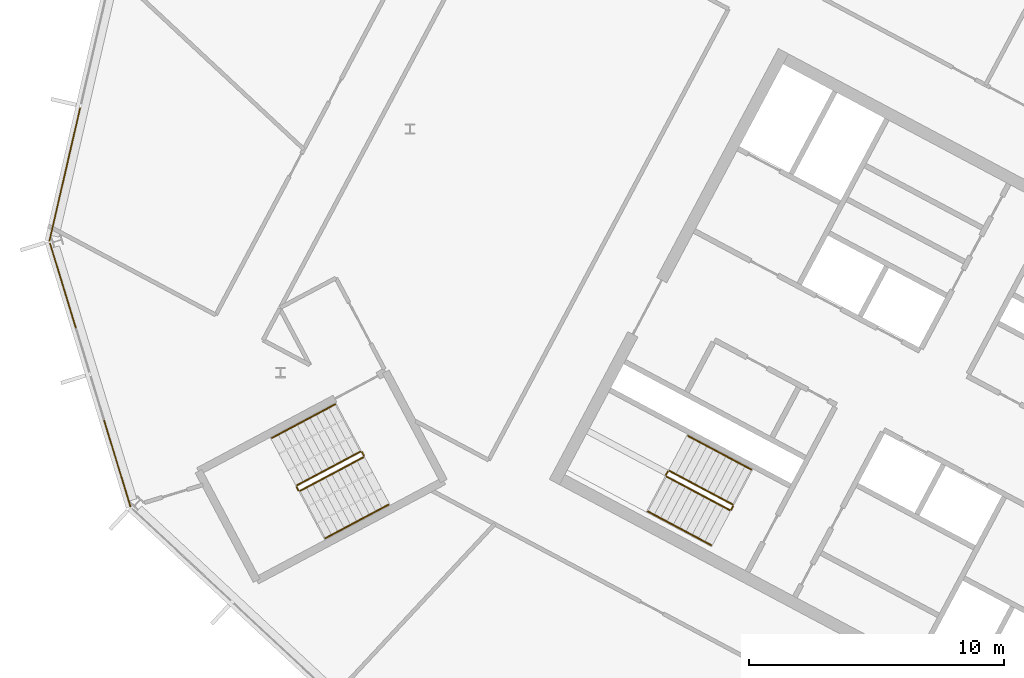
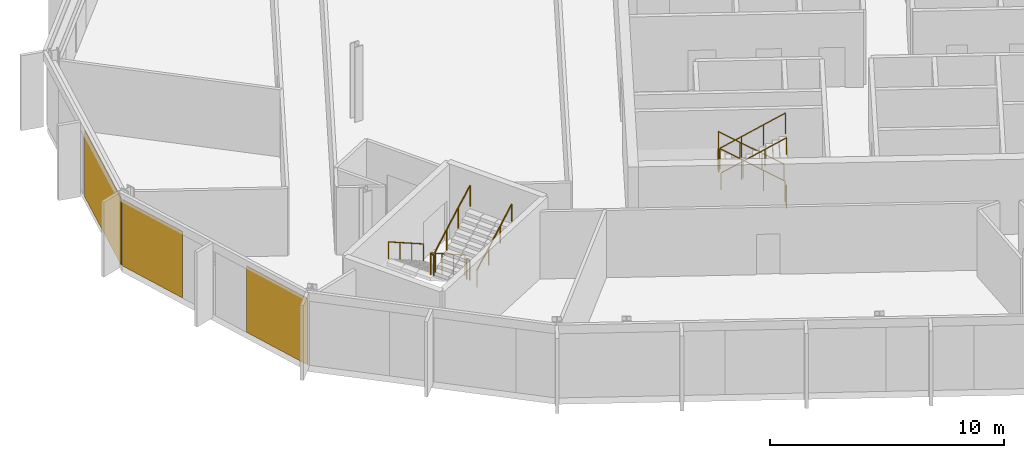
# One storey, part 31 of 35: 12 railings, 3 coverings, 2 elements without a shape of their own.
"""IFC4 building model written with IfcOpenShell, lengths in metres."""

from ifc_helpers import new_model, si_unit, direction, frame, origin, origin_2d, place, context, subcontext, project, spatial, polyline, rectangle, outline, extrude, material, layer, layer_set, type_object, element, aggregate, save


model = new_model("IFC4")

# Units and contexts
model_context = context("Model", 3, precision=1e-05, world=origin(), true_north=direction((0.0, 1.0)))
body_context = subcontext(model_context, "Body", "Model", "MODEL_VIEW")
ifc_project = project(units=[si_unit("LENGTHUNIT", "METRE"), si_unit("AREAUNIT", "SQUARE_METRE"), si_unit("VOLUMEUNIT", "CUBIC_METRE"), si_unit("PLANEANGLEUNIT", "RADIAN"), si_unit("MASSUNIT", "GRAM", prefix="KILO")], contexts=[model_context])

# Site, building, storey
site_placement = place(None, origin())
site = spatial("IfcSite", under=ifc_project, at=site_placement, CompositionType="ELEMENT")
building_placement = place(site_placement, origin())
building = spatial("IfcBuilding", under=site, at=building_placement, Name="Cormorant Relay Tower", CompositionType="ELEMENT")
storey_placement = place(building_placement, frame((0.0, 0.0, 324.300048828125)))
storey = spatial("IfcBuildingStorey", under=building, at=storey_placement, Name="L74", CompositionType="ELEMENT", Elevation=324.300048828125)

# Curtain wall, covering
ifc_material_1 = material(Name="Aluminium 6063-T6 anodised bronze", Category="aluminium")
ifc_layer_1 = layer(ifc_material_1, 0.199951171875)
ifc_layer_set_1 = layer_set([ifc_layer_1], Name="CW1 unitised bronze curtain wall with vertical fins")
curtain_wall_type = type_object("IfcCurtainWallType", Name="CW1 unitised bronze curtain wall with vertical fins", PredefinedType="NOTDEFINED", material=ifc_layer_set_1)
curtain_wall_1_placement = place(storey_placement, origin())
curtain_wall_1 = element("IfcCurtainWall", 1, at=curtain_wall_1_placement, inside=storey, type_object=curtain_wall_type, Name="CW1 curtain wall 13", PredefinedType="NOTDEFINED")
ifc_material_2 = material(Name="Pale bronze anodised aluminium insulated panel", Category="aluminium")
ifc_layer_2 = layer(ifc_material_2, 0.0400390625)
ifc_layer_set_2 = layer_set([ifc_layer_2], Name="CW1 pale bronze insulated panel 40")
covering_type = type_object("IfcCoveringType", Name="CW1 pale bronze insulated panel 40", PredefinedType="CLADDING", material=ifc_layer_set_2)
covering_1_placement = place(storey_placement, frame((-60.136474609375, 23.00927734375, 0.0), z_axis=(0.0, 0.0, 1.0), x_axis=(-0.224951054344, -0.974370064785, 0.0)))
covering_1 = element("IfcCovering", 2, at=covering_1_placement, type_object=covering_type, Name="CW1 panel S02", PredefinedType="CLADDING", context=body_context, shape_type="SweptSolid", body=[
    extrude(rectangle(XDim=5.360107421875, YDim=0.0400390625, at=origin_2d()), origin(), (0.0, 0.0, 1.0), 3.449951171875),
])
aggregate(curtain_wall_1, [covering_1])

# Curtain wall, coverings
curtain_wall_2_placement = place(storey_placement, origin())
curtain_wall_2 = element("IfcCurtainWall", 3, at=curtain_wall_2_placement, inside=storey, type_object=curtain_wall_type, Name="CW1 curtain wall 14", PredefinedType="NOTDEFINED")
covering_2_placement = place(storey_placement, frame((-60.20751953125, 18.6494140625, 0.0), z_axis=(0.0, 0.0, 1.0), x_axis=(0.292371704723, -0.956304755963, 0.0)))
covering_2 = element("IfcCovering", 4, at=covering_2_placement, type_object=covering_type, Name="CW1 panel S00", PredefinedType="CLADDING", context=body_context, shape_type="SweptSolid", body=[
    extrude(rectangle(XDim=3.485107421875, YDim=0.0400390625, at=origin_2d()), origin(), (0.0, 0.0, 1.0), 3.449951171875),
])
covering_3_placement = place(storey_placement, frame((-58.081298828125, 11.6943359375, 0.0), z_axis=(0.0, 0.0, 1.0), x_axis=(0.292371704723, -0.956304755963, 0.0)))
covering_3 = element("IfcCovering", 5, at=covering_3_placement, type_object=covering_type, Name="CW1 panel S03", PredefinedType="CLADDING", context=body_context, shape_type="SweptSolid", body=[
    extrude(rectangle(XDim=3.560302734375, YDim=0.0400390625, at=origin_2d()), origin(), (0.0, 0.0, 1.0), 3.449951171875),
])
aggregate(curtain_wall_2, [covering_2, covering_3])

# Railings
ifc_material_3 = material(Name="Steel ASTM A572 Grade 50 (Fy 345 MPa)", Category="steel")
railing_type_1 = type_object("IfcRailingType", Name="Stair guard 1100", PredefinedType="GUARDRAIL", material=ifc_material_3)
railing_1_placement = place(storey_placement, frame((-33.9921875, 10.08935546875, 0.17724609375)))
element("IfcRailing", 6, at=railing_1_placement, inside=storey, type_object=railing_type_1, Name="L74 A2 stair guard 1", PredefinedType="GUARDRAIL", context=body_context, shape_type="SweptSolid", body=[
    extrude(outline(polyline([(0.022216796875, 0.00927734375), (0.00927734375, 0.022216796875), (-0.00927734375, 0.022216796875), (-0.022216796875, 0.00927734375), (-0.022216796875, -0.00927734375), (-0.00927734375, -0.022216796875), (0.00927734375, -0.022216796875), (0.022216796875, -0.00927734375), (0.022216796875, 0.00927734375)])), frame((0.0, 0.0, 1.076171875), z_axis=(-0.746001213114, 0.396649272309, 0.534931345884), x_axis=(-0.469465464807, -0.882950835185, 0.0)), (0.0, 0.0, 1.0), 3.31396484375),
    extrude(outline(polyline([(0.019287109375, 0.008056640625), (0.008056640625, 0.019287109375), (-0.008056640625, 0.019287109375), (-0.019287109375, 0.008056640625), (-0.019287109375, -0.008056640625), (-0.008056640625, -0.019287109375), (0.008056640625, -0.019287109375), (0.019287109375, -0.008056640625), (0.019287109375, 0.008056640625)])), origin(), (0.0, 0.0, 1.0), 1.052001953125),
    extrude(outline(polyline([(0.019287109375, 0.008056640625), (0.008056640625, 0.019287109375), (-0.008056640625, 0.019287109375), (-0.019287109375, 0.008056640625), (-0.019287109375, -0.008056640625), (-0.008056640625, -0.019287109375), (0.008056640625, -0.019287109375), (0.019287109375, -0.008056640625), (0.019287109375, 0.008056640625)])), frame((-0.823974609375, 0.438232421875, 0.5908203125)), (0.0, 0.0, 1.0), 1.052001953125),
    extrude(outline(polyline([(0.019287109375, 0.008056640625), (0.008056640625, 0.019287109375), (-0.008056640625, 0.019287109375), (-0.019287109375, 0.008056640625), (-0.019287109375, -0.008056640625), (-0.008056640625, -0.019287109375), (0.008056640625, -0.019287109375), (0.019287109375, -0.008056640625), (0.019287109375, 0.008056640625)])), frame((-1.648193359375, 0.876220703125, 1.181884765625)), (0.0, 0.0, 1.0), 1.052001953125),
    extrude(outline(polyline([(0.019287109375, 0.008056640625), (0.008056640625, 0.019287109375), (-0.008056640625, 0.019287109375), (-0.019287109375, 0.008056640625), (-0.019287109375, -0.008056640625), (-0.008056640625, -0.019287109375), (0.008056640625, -0.019287109375), (0.019287109375, -0.008056640625), (0.019287109375, 0.008056640625)])), frame((-2.47216796875, 1.314453125, 1.772705078125)), (0.0, 0.0, 1.0), 1.052001953125),
])
railing_2_placement = place(storey_placement, frame((-36.531982421875, 11.38330078125, 1.949951171875)))
element("IfcRailing", 7, at=railing_2_placement, inside=storey, type_object=railing_type_1, Name="L74 A2 stair guard 2", PredefinedType="GUARDRAIL", context=body_context, shape_type="SweptSolid", body=[
    extrude(outline(polyline([(0.022216796875, 0.00927734375), (0.00927734375, 0.022216796875), (-0.00927734375, 0.022216796875), (-0.022216796875, 0.00927734375), (-0.022216796875, -0.00927734375), (-0.00927734375, -0.022216796875), (0.00927734375, -0.022216796875), (0.022216796875, -0.00927734375), (0.022216796875, 0.00927734375)])), frame((0.0, 0.0, 1.076171875), z_axis=(-0.469828648786, -0.882757634224, 0.0), x_axis=(0.882757634224, -0.469828648786, 0.0)), (0.0, 0.0, 1.0), 0.150146484375),
    extrude(outline(polyline([(0.019287109375, 0.008056640625), (0.008056640625, 0.019287109375), (-0.008056640625, 0.019287109375), (-0.019287109375, 0.008056640625), (-0.019287109375, -0.008056640625), (-0.008056640625, -0.019287109375), (0.008056640625, -0.019287109375), (0.019287109375, -0.008056640625), (0.019287109375, 0.008056640625)])), origin(), (0.0, 0.0, 1.0), 1.052001953125),
    extrude(outline(polyline([(0.019287109375, 0.008056640625), (0.008056640625, 0.019287109375), (-0.008056640625, 0.019287109375), (-0.019287109375, 0.008056640625), (-0.019287109375, -0.008056640625), (-0.008056640625, -0.019287109375), (0.008056640625, -0.019287109375), (0.019287109375, -0.008056640625), (0.019287109375, 0.008056640625)])), frame((-0.070556640625, -0.132568359375, 0.0)), (0.0, 0.0, 1.0), 1.052001953125),
])
railing_3_placement = place(storey_placement, frame((-36.581787109375, 11.18310546875, 2.127197265625)))
element("IfcRailing", 8, at=railing_3_placement, inside=storey, type_object=railing_type_1, Name="L74 A2 stair guard 3", PredefinedType="GUARDRAIL", context=body_context, shape_type="SweptSolid", body=[
    extrude(outline(polyline([(0.022216796875, 0.00927734375), (0.00927734375, 0.022216796875), (-0.00927734375, 0.022216796875), (-0.022216796875, 0.00927734375), (-0.022216796875, -0.00927734375), (-0.00927734375, -0.022216796875), (0.00927734375, -0.022216796875), (0.022216796875, -0.00927734375), (0.022216796875, 0.00927734375)])), frame((0.0, 0.0, 1.076171875), z_axis=(0.746001213114, -0.396649272309, 0.534931345884), x_axis=(0.469465464807, 0.882950835185, 0.0)), (0.0, 0.0, 1.0), 3.31396484375),
    extrude(outline(polyline([(0.019287109375, 0.008056640625), (0.008056640625, 0.019287109375), (-0.008056640625, 0.019287109375), (-0.019287109375, 0.008056640625), (-0.019287109375, -0.008056640625), (-0.008056640625, -0.019287109375), (0.008056640625, -0.019287109375), (0.019287109375, -0.008056640625), (0.019287109375, 0.008056640625)])), origin(), (0.0, 0.0, 1.0), 1.052001953125),
    extrude(outline(polyline([(0.019287109375, 0.008056640625), (0.008056640625, 0.019287109375), (-0.008056640625, 0.019287109375), (-0.019287109375, 0.008056640625), (-0.019287109375, -0.008056640625), (-0.008056640625, -0.019287109375), (0.008056640625, -0.019287109375), (0.019287109375, -0.008056640625), (0.019287109375, 0.008056640625)])), frame((0.823974609375, -0.438232421875, 0.5908203125)), (0.0, 0.0, 1.0), 1.052001953125),
    extrude(outline(polyline([(0.019287109375, 0.008056640625), (0.008056640625, 0.019287109375), (-0.008056640625, 0.019287109375), (-0.019287109375, 0.008056640625), (-0.019287109375, -0.008056640625), (-0.008056640625, -0.019287109375), (0.008056640625, -0.019287109375), (0.019287109375, -0.008056640625), (0.019287109375, 0.008056640625)])), frame((1.648193359375, -0.876220703125, 1.181884765625)), (0.0, 0.0, 1.0), 1.052001953125),
    extrude(outline(polyline([(0.019287109375, 0.008056640625), (0.008056640625, 0.019287109375), (-0.008056640625, 0.019287109375), (-0.019287109375, 0.008056640625), (-0.019287109375, -0.008056640625), (-0.008056640625, -0.019287109375), (0.008056640625, -0.019287109375), (0.019287109375, -0.008056640625), (0.019287109375, 0.008056640625)])), frame((2.47216796875, -1.314453125, 1.772705078125)), (0.0, 0.0, 1.0), 1.052001953125),
])
railing_4_placement = place(storey_placement, frame((-33.971435546875, 10.021728515625, 0.0)))
element("IfcRailing", 9, at=railing_4_placement, inside=storey, type_object=railing_type_1, Name="L74 A2 stair guard 4", PredefinedType="GUARDRAIL", context=body_context, shape_type="SweptSolid", body=[
    extrude(outline(polyline([(0.022216796875, 0.00927734375), (0.00927734375, 0.022216796875), (-0.00927734375, 0.022216796875), (-0.022216796875, 0.00927734375), (-0.022216796875, -0.00927734375), (-0.00927734375, -0.022216796875), (0.00927734375, -0.022216796875), (0.022216796875, -0.00927734375), (0.022216796875, 0.00927734375)])), frame((0.0, 0.0, 1.076171875), z_axis=(-0.470503732759, -0.882398003998, 0.0), x_axis=(0.882398003998, -0.470503732759, 0.0)), (0.0, 0.0, 1.0), 0.14990234375),
    extrude(outline(polyline([(0.019287109375, 0.008056640625), (0.008056640625, 0.019287109375), (-0.008056640625, 0.019287109375), (-0.019287109375, 0.008056640625), (-0.019287109375, -0.008056640625), (-0.008056640625, -0.019287109375), (0.008056640625, -0.019287109375), (0.019287109375, -0.008056640625), (0.019287109375, 0.008056640625)])), origin(), (0.0, 0.0, 1.0), 1.052001953125),
    extrude(outline(polyline([(0.019287109375, 0.008056640625), (0.008056640625, 0.019287109375), (-0.008056640625, 0.019287109375), (-0.019287109375, 0.008056640625), (-0.019287109375, -0.008056640625), (-0.008056640625, -0.019287109375), (0.008056640625, -0.019287109375), (0.019287109375, -0.008056640625), (0.019287109375, 0.008056640625)])), frame((-0.070556640625, -0.13232421875, 0.0)), (0.0, 0.0, 1.0), 1.052001953125),
])
railing_5_placement = place(storey_placement, frame((-48.5693359375, 12.155517578125, 0.17724609375)))
element("IfcRailing", 10, at=railing_5_placement, inside=storey, type_object=railing_type_1, Name="L74 RP1 stair guard 1", PredefinedType="GUARDRAIL", context=body_context, shape_type="SweptSolid", body=[
    extrude(outline(polyline([(0.022216796875, 0.00927734375), (0.00927734375, 0.022216796875), (-0.00927734375, 0.022216796875), (-0.022216796875, 0.00927734375), (-0.022216796875, -0.00927734375), (-0.00927734375, -0.022216796875), (0.00927734375, -0.022216796875), (0.022216796875, -0.00927734375), (0.022216796875, 0.00927734375)])), frame((0.0, 0.0, 1.076171875), z_axis=(-0.746012083385, -0.396689549623, 0.534886317514), x_axis=(0.469497295046, -0.882933910293, 0.0)), (0.0, 0.0, 1.0), 3.314208984375),
    extrude(outline(polyline([(0.019287109375, 0.008056640625), (0.008056640625, 0.019287109375), (-0.008056640625, 0.019287109375), (-0.019287109375, 0.008056640625), (-0.019287109375, -0.008056640625), (-0.008056640625, -0.019287109375), (0.008056640625, -0.019287109375), (0.019287109375, -0.008056640625), (0.019287109375, 0.008056640625)])), origin(), (0.0, 0.0, 1.0), 1.052001953125),
    extrude(outline(polyline([(0.019287109375, 0.008056640625), (0.008056640625, 0.019287109375), (-0.008056640625, 0.019287109375), (-0.019287109375, 0.008056640625), (-0.019287109375, -0.008056640625), (-0.008056640625, -0.019287109375), (0.008056640625, -0.019287109375), (0.019287109375, -0.008056640625), (0.019287109375, 0.008056640625)])), frame((-0.82421875, -0.438232421875, 0.5908203125)), (0.0, 0.0, 1.0), 1.052001953125),
    extrude(outline(polyline([(0.019287109375, 0.008056640625), (0.008056640625, 0.019287109375), (-0.008056640625, 0.019287109375), (-0.019287109375, 0.008056640625), (-0.019287109375, -0.008056640625), (-0.008056640625, -0.019287109375), (0.008056640625, -0.019287109375), (0.019287109375, -0.008056640625), (0.019287109375, 0.008056640625)])), frame((-1.648193359375, -0.87646484375, 1.181884765625)), (0.0, 0.0, 1.0), 1.052001953125),
    extrude(outline(polyline([(0.019287109375, 0.008056640625), (0.008056640625, 0.019287109375), (-0.008056640625, 0.019287109375), (-0.019287109375, 0.008056640625), (-0.019287109375, -0.008056640625), (-0.008056640625, -0.019287109375), (0.008056640625, -0.019287109375), (0.019287109375, -0.008056640625), (0.019287109375, 0.008056640625)])), frame((-2.472412109375, -1.314697265625, 1.772705078125)), (0.0, 0.0, 1.0), 1.052001953125),
])
railing_6_placement = place(storey_placement, frame((-51.062255859375, 10.773193359375, 1.949951171875)))
element("IfcRailing", 11, at=railing_6_placement, inside=storey, type_object=railing_type_1, Name="L74 RP1 stair guard 2", PredefinedType="GUARDRAIL", context=body_context, shape_type="SweptSolid", body=[
    extrude(outline(polyline([(0.022216796875, 0.00927734375), (0.00927734375, 0.022216796875), (-0.00927734375, 0.022216796875), (-0.022216796875, 0.00927734375), (-0.022216796875, -0.00927734375), (-0.00927734375, -0.022216796875), (0.00927734375, -0.022216796875), (0.022216796875, -0.00927734375), (0.022216796875, 0.00927734375)])), frame((0.0, 0.0, 1.076171875), z_axis=(0.469234640946, -0.883073525669, 0.0), x_axis=(0.883073525669, 0.469234640946, 0.0)), (0.0, 0.0, 1.0), 0.14990234375),
    extrude(outline(polyline([(0.019287109375, 0.008056640625), (0.008056640625, 0.019287109375), (-0.008056640625, 0.019287109375), (-0.019287109375, 0.008056640625), (-0.019287109375, -0.008056640625), (-0.008056640625, -0.019287109375), (0.008056640625, -0.019287109375), (0.019287109375, -0.008056640625), (0.019287109375, 0.008056640625)])), origin(), (0.0, 0.0, 1.0), 1.052001953125),
    extrude(outline(polyline([(0.019287109375, 0.008056640625), (0.008056640625, 0.019287109375), (-0.008056640625, 0.019287109375), (-0.019287109375, 0.008056640625), (-0.019287109375, -0.008056640625), (-0.008056640625, -0.019287109375), (0.008056640625, -0.019287109375), (0.019287109375, -0.008056640625), (0.019287109375, 0.008056640625)])), frame((0.0703125, -0.13232421875, 0.0)), (0.0, 0.0, 1.0), 1.052001953125),
])
railing_7_placement = place(storey_placement, frame((-50.92431640625, 10.6201171875, 2.127197265625)))
element("IfcRailing", 12, at=railing_7_placement, inside=storey, type_object=railing_type_1, Name="L74 RP1 stair guard 3", PredefinedType="GUARDRAIL", context=body_context, shape_type="SweptSolid", body=[
    extrude(outline(polyline([(0.022216796875, 0.00927734375), (0.00927734375, 0.022216796875), (-0.00927734375, 0.022216796875), (-0.022216796875, 0.00927734375), (-0.022216796875, -0.00927734375), (-0.00927734375, -0.022216796875), (0.00927734375, -0.022216796875), (0.022216796875, -0.00927734375), (0.022216796875, 0.00927734375)])), frame((0.0, 0.0, 1.076171875), z_axis=(0.746033882577, 0.396627473466, 0.534901947407), x_axis=(-0.469429322983, 0.882970050864, 0.0)), (0.0, 0.0, 1.0), 3.31396484375),
    extrude(outline(polyline([(0.019287109375, 0.008056640625), (0.008056640625, 0.019287109375), (-0.008056640625, 0.019287109375), (-0.019287109375, 0.008056640625), (-0.019287109375, -0.008056640625), (-0.008056640625, -0.019287109375), (0.008056640625, -0.019287109375), (0.019287109375, -0.008056640625), (0.019287109375, 0.008056640625)])), origin(), (0.0, 0.0, 1.0), 1.052001953125),
    extrude(outline(polyline([(0.019287109375, 0.008056640625), (0.008056640625, 0.019287109375), (-0.008056640625, 0.019287109375), (-0.019287109375, 0.008056640625), (-0.019287109375, -0.008056640625), (-0.008056640625, -0.019287109375), (0.008056640625, -0.019287109375), (0.019287109375, -0.008056640625), (0.019287109375, 0.008056640625)])), frame((0.82421875, 0.438232421875, 0.5908203125)), (0.0, 0.0, 1.0), 1.052001953125),
    extrude(outline(polyline([(0.019287109375, 0.008056640625), (0.008056640625, 0.019287109375), (-0.008056640625, 0.019287109375), (-0.019287109375, 0.008056640625), (-0.019287109375, -0.008056640625), (-0.008056640625, -0.019287109375), (0.008056640625, -0.019287109375), (0.019287109375, -0.008056640625), (0.019287109375, 0.008056640625)])), frame((1.648193359375, 0.876220703125, 1.181884765625)), (0.0, 0.0, 1.0), 1.052001953125),
    extrude(outline(polyline([(0.019287109375, 0.008056640625), (0.008056640625, 0.019287109375), (-0.008056640625, 0.019287109375), (-0.019287109375, 0.008056640625), (-0.019287109375, -0.008056640625), (-0.008056640625, -0.019287109375), (0.008056640625, -0.019287109375), (0.019287109375, -0.008056640625), (0.019287109375, 0.008056640625)])), frame((2.472412109375, 1.314453125, 1.772705078125)), (0.0, 0.0, 1.0), 1.052001953125),
])
railing_8_placement = place(storey_placement, frame((-48.501708984375, 12.134765625, 0.0)))
element("IfcRailing", 13, at=railing_8_placement, inside=storey, type_object=railing_type_1, Name="L74 RP1 stair guard 4", PredefinedType="GUARDRAIL", context=body_context, shape_type="SweptSolid", body=[
    extrude(outline(polyline([(0.022216796875, 0.00927734375), (0.00927734375, 0.022216796875), (-0.00927734375, 0.022216796875), (-0.022216796875, 0.00927734375), (-0.022216796875, -0.00927734375), (-0.00927734375, -0.022216796875), (0.00927734375, -0.022216796875), (0.022216796875, -0.00927734375), (0.022216796875, 0.00927734375)])), frame((0.0, 0.0, 1.076171875), z_axis=(0.46856034887, -0.8834314911, 0.0), x_axis=(0.8834314911, 0.46856034887, 0.0)), (0.0, 0.0, 1.0), 0.150146484375),
    extrude(outline(polyline([(0.019287109375, 0.008056640625), (0.008056640625, 0.019287109375), (-0.008056640625, 0.019287109375), (-0.019287109375, 0.008056640625), (-0.019287109375, -0.008056640625), (-0.008056640625, -0.019287109375), (0.008056640625, -0.019287109375), (0.019287109375, -0.008056640625), (0.019287109375, 0.008056640625)])), origin(), (0.0, 0.0, 1.0), 1.052001953125),
    extrude(outline(polyline([(0.019287109375, 0.008056640625), (0.008056640625, 0.019287109375), (-0.008056640625, 0.019287109375), (-0.019287109375, 0.008056640625), (-0.019287109375, -0.008056640625), (-0.008056640625, -0.019287109375), (0.008056640625, -0.019287109375), (0.019287109375, -0.008056640625), (0.019287109375, 0.008056640625)])), frame((0.0703125, -0.132568359375, 0.0)), (0.0, 0.0, 1.0), 1.052001953125),
])
ifc_material_4 = material(Name="Steel ASTM A572 Grade 50 (Fy 345 MPa)", Category="steel")
railing_type_2 = type_object("IfcRailingType", Name="Stair handrail 900", PredefinedType="HANDRAIL", material=ifc_material_4)
railing_9_placement = place(storey_placement, frame((-33.264404296875, 11.4580078125, 0.17724609375)))
element("IfcRailing", 14, at=railing_9_placement, inside=storey, type_object=railing_type_2, Name="L74 A2 stair handrail 1", PredefinedType="HANDRAIL", context=body_context, shape_type="SweptSolid", body=[
    extrude(outline(polyline([(0.022216796875, 0.00927734375), (0.00927734375, 0.022216796875), (-0.00927734375, 0.022216796875), (-0.022216796875, 0.00927734375), (-0.022216796875, -0.00927734375), (-0.00927734375, -0.022216796875), (0.00927734375, -0.022216796875), (0.022216796875, -0.00927734375), (0.022216796875, 0.00927734375)])), frame((0.0, 0.0, 0.8759765625), z_axis=(-0.746033882577, 0.396627473466, 0.534901947407), x_axis=(-0.469429322983, -0.882970050864, 0.0)), (0.0, 0.0, 1.0), 3.31396484375),
    extrude(outline(polyline([(0.019287109375, 0.008056640625), (0.008056640625, 0.019287109375), (-0.008056640625, 0.019287109375), (-0.019287109375, 0.008056640625), (-0.019287109375, -0.008056640625), (-0.008056640625, -0.019287109375), (0.008056640625, -0.019287109375), (0.019287109375, -0.008056640625), (0.019287109375, 0.008056640625)])), origin(), (0.0, 0.0, 1.0), 0.851806640625),
    extrude(outline(polyline([(0.019287109375, 0.008056640625), (0.008056640625, 0.019287109375), (-0.008056640625, 0.019287109375), (-0.019287109375, 0.008056640625), (-0.019287109375, -0.008056640625), (-0.008056640625, -0.019287109375), (0.008056640625, -0.019287109375), (0.019287109375, -0.008056640625), (0.019287109375, 0.008056640625)])), frame((-0.82421875, 0.438232421875, 0.5908203125)), (0.0, 0.0, 1.0), 0.851806640625),
    extrude(outline(polyline([(0.019287109375, 0.008056640625), (0.008056640625, 0.019287109375), (-0.008056640625, 0.019287109375), (-0.019287109375, 0.008056640625), (-0.019287109375, -0.008056640625), (-0.008056640625, -0.019287109375), (0.008056640625, -0.019287109375), (0.019287109375, -0.008056640625), (0.019287109375, 0.008056640625)])), frame((-1.648193359375, 0.876220703125, 1.181884765625)), (0.0, 0.0, 1.0), 0.851806640625),
    extrude(outline(polyline([(0.019287109375, 0.008056640625), (0.008056640625, 0.019287109375), (-0.008056640625, 0.019287109375), (-0.019287109375, 0.008056640625), (-0.019287109375, -0.008056640625), (-0.008056640625, -0.019287109375), (0.008056640625, -0.019287109375), (0.019287109375, -0.008056640625), (0.019287109375, 0.008056640625)])), frame((-2.472412109375, 1.314453125, 1.772705078125)), (0.0, 0.0, 1.0), 0.851806640625),
])
railing_10_placement = place(storey_placement, frame((-37.3095703125, 9.814453125, 2.127197265625)))
element("IfcRailing", 15, at=railing_10_placement, inside=storey, type_object=railing_type_2, Name="L74 A2 stair handrail 2", PredefinedType="HANDRAIL", context=body_context, shape_type="SweptSolid", body=[
    extrude(outline(polyline([(0.022216796875, 0.00927734375), (0.00927734375, 0.022216796875), (-0.00927734375, 0.022216796875), (-0.022216796875, 0.00927734375), (-0.022216796875, -0.00927734375), (-0.00927734375, -0.022216796875), (0.00927734375, -0.022216796875), (0.022216796875, -0.00927734375), (0.022216796875, 0.00927734375)])), frame((0.0, 0.0, 0.8759765625), z_axis=(0.746033882577, -0.396627473466, 0.534901947407), x_axis=(0.469429322983, 0.882970050864, 0.0)), (0.0, 0.0, 1.0), 3.31396484375),
    extrude(outline(polyline([(0.019287109375, 0.008056640625), (0.008056640625, 0.019287109375), (-0.008056640625, 0.019287109375), (-0.019287109375, 0.008056640625), (-0.019287109375, -0.008056640625), (-0.008056640625, -0.019287109375), (0.008056640625, -0.019287109375), (0.019287109375, -0.008056640625), (0.019287109375, 0.008056640625)])), origin(), (0.0, 0.0, 1.0), 0.851806640625),
    extrude(outline(polyline([(0.019287109375, 0.008056640625), (0.008056640625, 0.019287109375), (-0.008056640625, 0.019287109375), (-0.019287109375, 0.008056640625), (-0.019287109375, -0.008056640625), (-0.008056640625, -0.019287109375), (0.008056640625, -0.019287109375), (0.019287109375, -0.008056640625), (0.019287109375, 0.008056640625)])), frame((0.82421875, -0.438232421875, 0.5908203125)), (0.0, 0.0, 1.0), 0.851806640625),
    extrude(outline(polyline([(0.019287109375, 0.008056640625), (0.008056640625, 0.019287109375), (-0.008056640625, 0.019287109375), (-0.019287109375, 0.008056640625), (-0.019287109375, -0.008056640625), (-0.008056640625, -0.019287109375), (0.008056640625, -0.019287109375), (0.019287109375, -0.008056640625), (0.019287109375, 0.008056640625)])), frame((1.648193359375, -0.876220703125, 1.181884765625)), (0.0, 0.0, 1.0), 0.851806640625),
    extrude(outline(polyline([(0.019287109375, 0.008056640625), (0.008056640625, 0.019287109375), (-0.008056640625, 0.019287109375), (-0.019287109375, 0.008056640625), (-0.019287109375, -0.008056640625), (-0.008056640625, -0.019287109375), (0.008056640625, -0.019287109375), (0.019287109375, -0.008056640625), (0.019287109375, 0.008056640625)])), frame((2.472412109375, -1.314453125, 1.772705078125)), (0.0, 0.0, 1.0), 0.851806640625),
])
railing_11_placement = place(storey_placement, frame((-49.55517578125, 14.009521484375, 0.17724609375)))
element("IfcRailing", 16, at=railing_11_placement, inside=storey, type_object=railing_type_2, Name="L74 RP1 stair handrail 1", PredefinedType="HANDRAIL", context=body_context, shape_type="SweptSolid", body=[
    extrude(outline(polyline([(0.022216796875, 0.00927734375), (0.00927734375, 0.022216796875), (-0.00927734375, 0.022216796875), (-0.022216796875, 0.00927734375), (-0.022216796875, -0.00927734375), (-0.00927734375, -0.022216796875), (0.00927734375, -0.022216796875), (0.022216796875, -0.00927734375), (0.022216796875, 0.00927734375)])), frame((0.0, 0.0, 0.8759765625), z_axis=(-0.746033882577, -0.396627473466, 0.534901947407), x_axis=(0.469429322983, -0.882970050864, 0.0)), (0.0, 0.0, 1.0), 3.31396484375),
    extrude(outline(polyline([(0.019287109375, 0.008056640625), (0.008056640625, 0.019287109375), (-0.008056640625, 0.019287109375), (-0.019287109375, 0.008056640625), (-0.019287109375, -0.008056640625), (-0.008056640625, -0.019287109375), (0.008056640625, -0.019287109375), (0.019287109375, -0.008056640625), (0.019287109375, 0.008056640625)])), origin(), (0.0, 0.0, 1.0), 0.851806640625),
    extrude(outline(polyline([(0.019287109375, 0.008056640625), (0.008056640625, 0.019287109375), (-0.008056640625, 0.019287109375), (-0.019287109375, 0.008056640625), (-0.019287109375, -0.008056640625), (-0.008056640625, -0.019287109375), (0.008056640625, -0.019287109375), (0.019287109375, -0.008056640625), (0.019287109375, 0.008056640625)])), frame((-0.82421875, -0.438232421875, 0.5908203125)), (0.0, 0.0, 1.0), 0.851806640625),
    extrude(outline(polyline([(0.019287109375, 0.008056640625), (0.008056640625, 0.019287109375), (-0.008056640625, 0.019287109375), (-0.019287109375, 0.008056640625), (-0.019287109375, -0.008056640625), (-0.008056640625, -0.019287109375), (0.008056640625, -0.019287109375), (0.019287109375, -0.008056640625), (0.019287109375, 0.008056640625)])), frame((-1.648193359375, -0.876220703125, 1.181884765625)), (0.0, 0.0, 1.0), 0.851806640625),
    extrude(outline(polyline([(0.019287109375, 0.008056640625), (0.008056640625, 0.019287109375), (-0.008056640625, 0.019287109375), (-0.019287109375, 0.008056640625), (-0.019287109375, -0.008056640625), (-0.008056640625, -0.019287109375), (0.008056640625, -0.019287109375), (0.019287109375, -0.008056640625), (0.019287109375, 0.008056640625)])), frame((-2.472412109375, -1.314453125, 1.772705078125)), (0.0, 0.0, 1.0), 0.851806640625),
])
railing_12_placement = place(storey_placement, frame((-49.9384765625, 8.765869140625, 2.127197265625)))
element("IfcRailing", 17, at=railing_12_placement, inside=storey, type_object=railing_type_2, Name="L74 RP1 stair handrail 2", PredefinedType="HANDRAIL", context=body_context, shape_type="SweptSolid", body=[
    extrude(outline(polyline([(0.022216796875, 0.00927734375), (0.00927734375, 0.022216796875), (-0.00927734375, 0.022216796875), (-0.022216796875, 0.00927734375), (-0.022216796875, -0.00927734375), (-0.00927734375, -0.022216796875), (0.00927734375, -0.022216796875), (0.022216796875, -0.00927734375), (0.022216796875, 0.00927734375)])), frame((0.0, 0.0, 0.8759765625), z_axis=(0.746012083385, 0.396689549623, 0.534886317514), x_axis=(-0.469497295046, 0.882933910293, 0.0)), (0.0, 0.0, 1.0), 3.314208984375),
    extrude(outline(polyline([(0.019287109375, 0.008056640625), (0.008056640625, 0.019287109375), (-0.008056640625, 0.019287109375), (-0.019287109375, 0.008056640625), (-0.019287109375, -0.008056640625), (-0.008056640625, -0.019287109375), (0.008056640625, -0.019287109375), (0.019287109375, -0.008056640625), (0.019287109375, 0.008056640625)])), origin(), (0.0, 0.0, 1.0), 0.851806640625),
    extrude(outline(polyline([(0.019287109375, 0.008056640625), (0.008056640625, 0.019287109375), (-0.008056640625, 0.019287109375), (-0.019287109375, 0.008056640625), (-0.019287109375, -0.008056640625), (-0.008056640625, -0.019287109375), (0.008056640625, -0.019287109375), (0.019287109375, -0.008056640625), (0.019287109375, 0.008056640625)])), frame((0.82421875, 0.438232421875, 0.5908203125)), (0.0, 0.0, 1.0), 0.851806640625),
    extrude(outline(polyline([(0.019287109375, 0.008056640625), (0.008056640625, 0.019287109375), (-0.008056640625, 0.019287109375), (-0.019287109375, 0.008056640625), (-0.019287109375, -0.008056640625), (-0.008056640625, -0.019287109375), (0.008056640625, -0.019287109375), (0.019287109375, -0.008056640625), (0.019287109375, 0.008056640625)])), frame((1.648193359375, 0.87646484375, 1.181884765625)), (0.0, 0.0, 1.0), 0.851806640625),
    extrude(outline(polyline([(0.019287109375, 0.008056640625), (0.008056640625, 0.019287109375), (-0.008056640625, 0.019287109375), (-0.019287109375, 0.008056640625), (-0.019287109375, -0.008056640625), (-0.008056640625, -0.019287109375), (0.008056640625, -0.019287109375), (0.019287109375, -0.008056640625), (0.019287109375, 0.008056640625)])), frame((2.472412109375, 1.314697265625, 1.772705078125)), (0.0, 0.0, 1.0), 0.851806640625),
])

save(model, "model.ifc")
